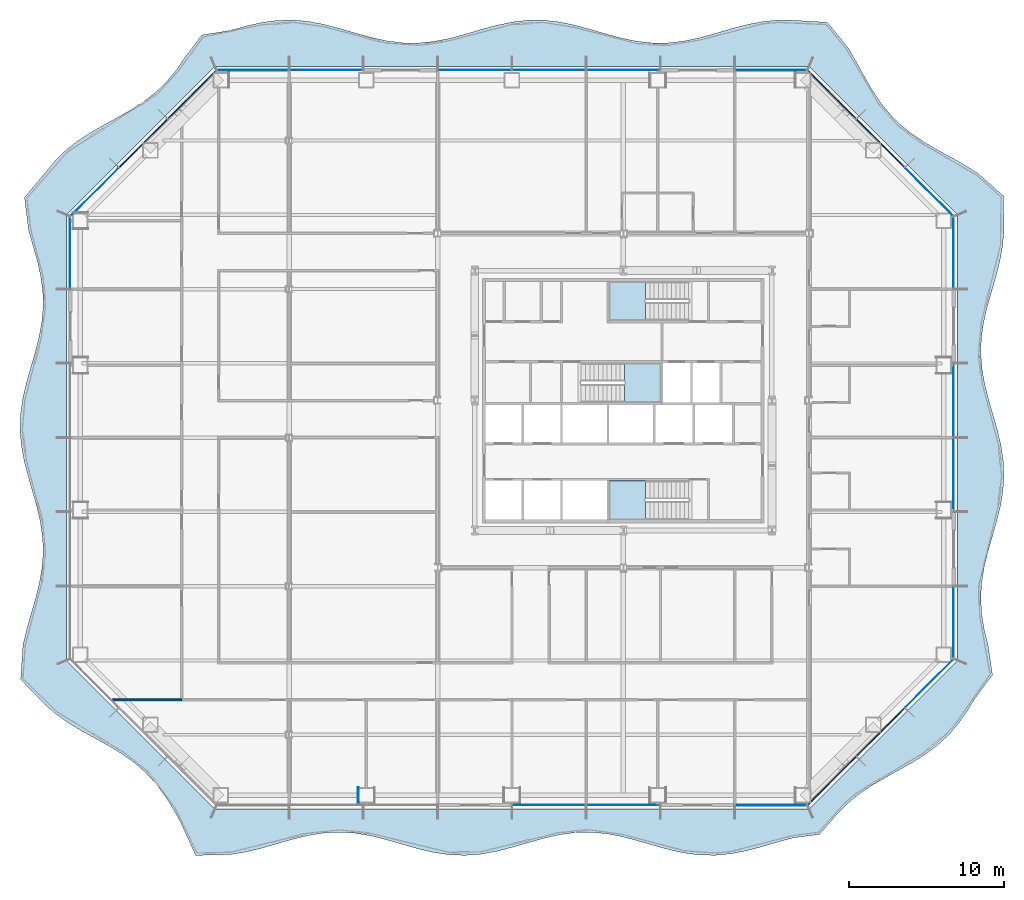
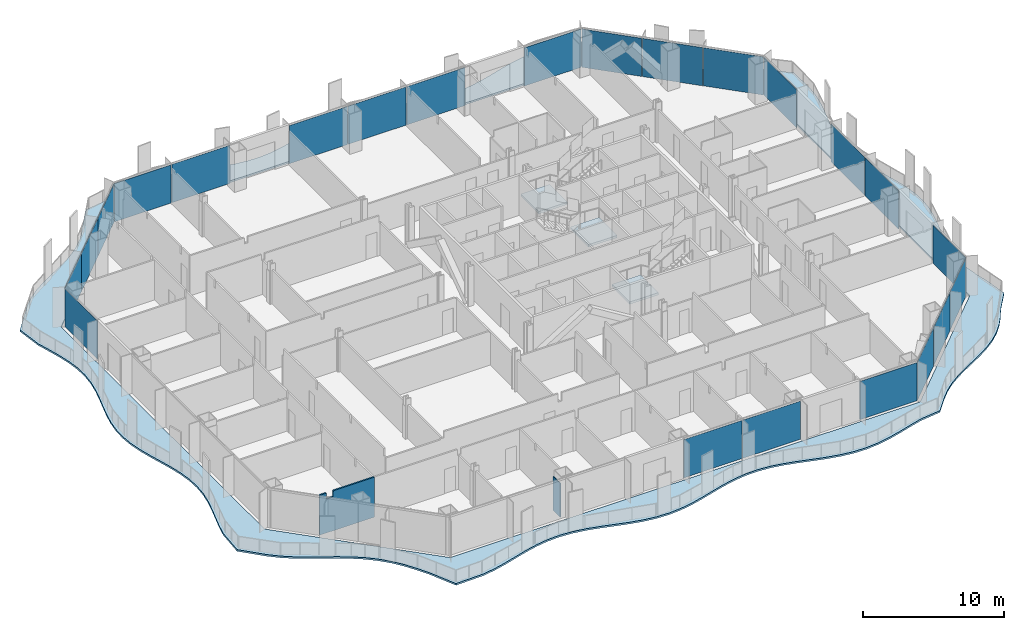
# One storey, part 5 of 20: 23 plates, 4 slabs, 2 walls, 10 elements without a shape of their own.
"""IFC4 building model written with IfcOpenShell, lengths in metres."""

import ifcopenshell
import ifcopenshell.guid

model = None  # the IFC model being written
_history = None  # IfcOwnerHistory: only IFC2X3 demands one
_inside = {}  # id of a spatial element -> (the spatial element, [elements in it])
_under = {}  # id of a project, library or spatial element -> (it, [spatial elements below it])
_declared = {}  # id of a project -> (the project, [libraries it declares])
_typed = {}  # id of a type object -> (the type object, [elements of that type])
_made_of = {}  # id of a material, layer set ... -> (it, [elements and type objects made of it])


def new_model(schema):
    """Start an empty IFC model of exactly this schema.

    Asked for "IFC4X3", IfcOpenShell would pick the latest addendum, in which some entities
    have other attributes; the version numbers below select the first issue.
    IFC2X3 requires an IfcOwnerHistory on every rooted entity: one is made here for all.
    """
    global model, _history
    if schema == "IFC4X3":
        model = ifcopenshell.file(schema_version=(4, 3, 0, 0))
    else:
        model = ifcopenshell.file(schema=schema)
    _inside.clear()
    _under.clear()
    _declared.clear()
    _typed.clear()
    _made_of.clear()
    _history = None
    if model.schema == "IFC2X3":
        org = make("IfcOrganization", Name="unknown")
        user = make(
            "IfcPersonAndOrganization",
            ThePerson=make("IfcPerson", FamilyName="unknown"),
            TheOrganization=org,
        )
        app = make(
            "IfcApplication",
            ApplicationDeveloper=org,
            Version="unknown",
            ApplicationFullName="unknown",
            ApplicationIdentifier="unknown",
        )
        _history = make(
            "IfcOwnerHistory",
            OwningUser=user,
            OwningApplication=app,
            ChangeAction="ADDED",
            CreationDate=0,
        )
    return model


def make(cls, **values):
    """One entity of the class cls with the attributes given. An attribute that is None is left unset."""
    return model.create_entity(
        cls, **{name: value for name, value in values.items() if value is not None}
    )


def rooted(cls, **values):
    """An entity with a GlobalId (a new one), such as an element, a storey or a relation."""
    return make(cls, GlobalId=ifcopenshell.guid.new(), OwnerHistory=_history, **values)


def si_unit(unit_type, name, prefix=None):
    """IfcSIUnit, for example si_unit("LENGTHUNIT", "METRE", prefix="MILLI")."""
    return make("IfcSIUnit", UnitType=unit_type, Prefix=prefix, Name=name)


def assignment(units):
    """IfcUnitAssignment: the units of a project."""
    return None if units is None else make("IfcUnitAssignment", Units=units)


def point(xyz):
    """IfcCartesianPoint."""
    return None if xyz is None else make("IfcCartesianPoint", Coordinates=xyz)


def direction(xyz):
    """IfcDirection."""
    return None if xyz is None else make("IfcDirection", DirectionRatios=xyz)


def frame(location, z_axis=None, x_axis=None):
    """IfcAxis2Placement3D, a coordinate frame: its origin and axes. An axis left out is left unset."""
    return make(
        "IfcAxis2Placement3D",
        Location=point(location),
        Axis=direction(z_axis),
        RefDirection=direction(x_axis),
    )


def frame_2d(location, x_axis=None):
    """IfcAxis2Placement2D, a coordinate frame in the plane: its origin and x axis."""
    return make(
        "IfcAxis2Placement2D", Location=point(location), RefDirection=direction(x_axis)
    )


def origin():
    """The frame at (0, 0, 0) with its axes left unset."""
    return frame((0.0, 0.0, 0.0))


def origin_2d():
    """The frame at (0, 0) in the plane with its x axis left unset."""
    return frame_2d((0.0, 0.0))


def place(relative_to, where):
    """IfcLocalPlacement: puts the frame where relative to a parent placement (None: the world)."""
    return make(
        "IfcLocalPlacement", PlacementRelTo=relative_to, RelativePlacement=where
    )


def context(
    kind, dimensions, precision=None, world=None, true_north=None, identifier=None
):
    """IfcGeometricRepresentationContext, for example the 3D "Model" context."""
    return make(
        "IfcGeometricRepresentationContext",
        ContextIdentifier=identifier,
        ContextType=kind,
        CoordinateSpaceDimension=dimensions,
        Precision=precision,
        WorldCoordinateSystem=world,
        TrueNorth=true_north,
    )


def subcontext(parent, identifier, kind, view, scale=None):
    """IfcGeometricRepresentationSubContext, for example "Body" below "Model"."""
    return make(
        "IfcGeometricRepresentationSubContext",
        ContextIdentifier=identifier,
        ContextType=kind,
        ParentContext=parent,
        TargetScale=scale,
        TargetView=view,
    )


def project(units=None, contexts=None):
    """IfcProject with its units and contexts."""
    return rooted(
        "IfcProject",
        Name="project",
        RepresentationContexts=contexts,
        UnitsInContext=assignment(units),
    )


def spatial(cls, under=None, at=None, **own):
    """A site, building, storey or space (cls), placed at a placement, below another one or the project."""
    s = rooted(cls, ObjectPlacement=at, **own)
    if under is not None:
        _under.setdefault(under.id(), (under, []))[1].append(s)
    return s


def polyline(points):
    """IfcPolyline through the points."""
    return make("IfcPolyline", Points=[point(p) for p in points])


def profile(cls, at=None, kind="AREA", **sizes):
    """A parametric profile (cls). Its sizes go by their IFC names, for example OverallWidth=200.0."""
    return make(cls, ProfileType=kind, Position=at, **sizes)


def rectangle(**sizes):
    """IfcRectangleProfileDef."""
    return profile("IfcRectangleProfileDef", **sizes)


def outline(outer, holes=None, kind="AREA"):
    """IfcArbitraryClosedProfileDef: a profile drawn as a closed curve; with holes, ...WithVoids."""
    if holes is None:
        return make("IfcArbitraryClosedProfileDef", ProfileType=kind, OuterCurve=outer)
    return make(
        "IfcArbitraryProfileDefWithVoids",
        ProfileType=kind,
        OuterCurve=outer,
        InnerCurves=holes,
    )


def extrude(swept, where, along, depth):
    """IfcExtrudedAreaSolid: the profile swept, set in the frame where, extruded along a direction by depth."""
    return make(
        "IfcExtrudedAreaSolid",
        SweptArea=swept,
        Position=where,
        ExtrudedDirection=direction(along),
        Depth=depth,
    )


def shape(context_of_items, identifier, shape_type, items):
    """IfcShapeRepresentation: the items that make up one representation, for example the "Body"."""
    return make(
        "IfcShapeRepresentation",
        ContextOfItems=context_of_items,
        RepresentationIdentifier=identifier,
        RepresentationType=shape_type,
        Items=items,
    )


def material(Name=None, Category=None):
    """IfcMaterial."""
    return make("IfcMaterial", Name=Name, Category=Category)


def layer(
    of_material, thickness, ventilated=None, Name=None, Category=None, Priority=None
):
    """IfcMaterialLayer: one layer of a wall or slab, of a material (None: an air gap)."""
    return make(
        "IfcMaterialLayer",
        Material=of_material,
        LayerThickness=thickness,
        IsVentilated=ventilated,
        Name=Name,
        Category=Category,
        Priority=Priority,
    )


def layer_set(layers, Name=None):
    """IfcMaterialLayerSet."""
    return make("IfcMaterialLayerSet", MaterialLayers=layers, LayerSetName=Name)


def made_of(thing, what):
    """Note that an element or type object is made of a material, layer set ...; save() writes the relation."""
    if what is not None:
        _made_of.setdefault(what.id(), (what, []))[1].append(thing)
    return thing


def type_object(cls, material=None, **own):
    """A type object (cls), such as IfcWallType, which elements share."""
    return made_of(rooted(cls, **own), material)


def element(
    cls,
    number,
    at=None,
    inside=None,
    cuts=None,
    type_object=None,
    material=None,
    context=None,
    identifier="Body",
    shape_type=None,
    held_by="IfcProductDefinitionShape",
    body=None,
    shapes=None,
    **own,
):
    """One element of the class cls, such as IfcWall. Its Tag is "e" and its number.

    at: its placement. inside: the storey or other place that contains it. cuts: it is an
    opening in that element (IfcRelVoidsElement). A single representation is given by context,
    identifier, shape_type and body (its items); several are given by shapes. held_by: the class
    of the entity that holds the representations. save() writes the other relations.
    """
    e = rooted(cls, Tag="e%d" % number, ObjectPlacement=at, **own)
    if body is not None:
        shapes = [shape(context, identifier, shape_type, body)]
    if shapes is not None:
        e.Representation = make(held_by, Representations=shapes)
    if inside is not None:
        _inside.setdefault(inside.id(), (inside, []))[1].append(e)
    if cuts is not None:
        rooted(
            "IfcRelVoidsElement", RelatingBuildingElement=cuts, RelatedOpeningElement=e
        )
    if type_object is not None:
        _typed.setdefault(type_object.id(), (type_object, []))[1].append(e)
    return made_of(e, material)


def aggregate(whole, parts):
    """IfcRelAggregates: a whole, such as a stair, and the parts it consists of."""
    return rooted("IfcRelAggregates", RelatingObject=whole, RelatedObjects=parts)


def save(model, path):
    """Write the relations noted so far, then the file.

    IfcRelAggregates (storeys below a building ...), IfcRelContainedInSpatialStructure (elements
    in a storey), IfcRelDefinesByType, IfcRelAssociatesMaterial and IfcRelDeclares: one each for
    every whole, place, type object, material and project.
    """
    for whole, parts in _under.values():
        aggregate(whole, parts)
    for where, things in _inside.values():
        rooted(
            "IfcRelContainedInSpatialStructure",
            RelatedElements=things,
            RelatingStructure=where,
        )
    for kind, things in _typed.values():
        rooted("IfcRelDefinesByType", RelatedObjects=things, RelatingType=kind)
    for what, things in _made_of.values():
        rooted("IfcRelAssociatesMaterial", RelatedObjects=things, RelatingMaterial=what)
    for by, libraries in _declared.values():
        rooted("IfcRelDeclares", RelatingContext=by, RelatedDefinitions=libraries)
    model.write(path)


model = new_model("IFC4")

# Units and contexts
model_context = context("Model", 3, precision=1e-05, world=origin(), true_north=direction((0.0, 1.0)))
body_context = subcontext(model_context, "Body", "Model", "MODEL_VIEW")
ifc_project = project(units=[si_unit("LENGTHUNIT", "METRE"), si_unit("AREAUNIT", "SQUARE_METRE"), si_unit("VOLUMEUNIT", "CUBIC_METRE"), si_unit("PLANEANGLEUNIT", "RADIAN"), si_unit("MASSUNIT", "GRAM", prefix="KILO")], contexts=[model_context])

# Site, building, storey
site_placement = place(None, origin())
site = spatial("IfcSite", under=ifc_project, at=site_placement, CompositionType="ELEMENT")
building_placement = place(site_placement, origin())
building = spatial("IfcBuilding", under=site, at=building_placement, Name="Cairn Pilgrim Tower", CompositionType="ELEMENT")
storey_placement = place(building_placement, frame((0.0, 0.0, 51.0)))
storey = spatial("IfcBuildingStorey", under=building, at=storey_placement, Name="L10", CompositionType="ELEMENT", Elevation=51.0)

# Slab
ifc_material_1 = material(Name="Concrete C35/45", Category="concrete")
ifc_layer_1 = layer(ifc_material_1, 0.14990234375)
ifc_layer_set_1 = layer_set([ifc_layer_1], Name="BALCONY SLAB 150 CONCRETE C35/45")
slab_type_1 = type_object("IfcSlabType", Name="BALCONY SLAB 150 CONCRETE C35/45", PredefinedType="FLOOR", material=ifc_layer_set_1)
slab_1_placement = place(storey_placement, frame((0.0, 0.0, -0.14990234375)))
element("IfcSlab", 1, at=slab_1_placement, inside=storey, type_object=slab_type_1, Name="Balcony slab BS-1", PredefinedType="FLOOR", context=body_context, shape_type="SweptSolid", body=[
    extrude(outline(polyline([(-21.421875, -24.850341796875), (-20.442626953125, -27.0), (-18.189453125, -26.941650390625), (-17.178955078125, -26.77587890625), (-16.16845703125, -26.5283203125), (-15.157958984375, -26.237548828125), (-14.1474609375, -25.94873046875), (-13.136962890625, -25.706787109375), (-12.126220703125, -25.549072265625), (-11.11572265625, -25.50048828125), (-10.105224609375, -25.568359375), (-9.0947265625, -25.741943359375), (-8.084228515625, -25.994873046875), (-7.07373046875, -26.287109375), (-6.063232421875, -26.57373046875), (-5.052734375, -26.81005859375), (-4.0419921875, -26.95947265625), (-3.031494140625, -26.998291015625), (-2.02099609375, -26.921142578125), (-1.010498046875, -26.739501953125), (0.0, -26.481689453125), (1.010498046875, -26.18798828125), (2.02099609375, -25.904052734375), (3.031494140625, -25.673583984375), (4.0419921875, -25.532958984375), (5.052734375, -25.503662109375), (6.063232421875, -25.59033203125), (7.07373046875, -25.779541015625), (8.084228515625, -26.0419921875), (9.0947265625, -26.336669921875), (10.105224609375, -26.617919921875), (11.11572265625, -26.841796875), (12.126220703125, -26.973876953125), (13.136962890625, -26.993408203125), (14.1474609375, -26.8974609375), (15.157958984375, -26.700927734375), (16.16845703125, -26.43408203125), (17.178955078125, -26.138916015625), (18.189453125, -25.86083984375), (19.880615234375, -25.643310546875), (20.962646484375, -24.39111328125), (21.63671875, -23.69384765625), (22.386474609375, -23.072021484375), (23.2021484375, -22.516357421875), (24.0654296875, -22.00830078125), (24.95068359375, -21.522216796875), (25.82958984375, -21.029541015625), (26.67431640625, -20.502685546875), (27.4619140625, -19.919189453125), (28.177978515625, -19.263671875), (28.818359375, -18.532470703125), (29.38916015625, -17.73193359375), (29.906982421875, -16.87841796875), (31.056884765625, -15.3349609375), (30.771240234375, -13.406982421875), (30.527587890625, -12.413818359375), (30.362060546875, -11.420654296875), (30.300048828125, -10.427490234375), (30.350830078125, -9.4345703125), (30.50634765625, -8.44140625), (30.74365234375, -7.4482421875), (31.02685546875, -6.455078125), (31.3134765625, -5.462158203125), (31.560791015625, -4.468994140625), (31.731201171875, -3.475830078125), (31.79931640625, -2.482666015625), (31.7548828125, -1.48974609375), (31.604736328125, -0.49658203125), (31.37109375, 0.49658203125), (31.08935546875, 1.48974609375), (30.8017578125, 2.482666015625), (30.55126953125, 3.475830078125), (30.375732421875, 4.468994140625), (30.301513671875, 5.462158203125), (30.339599609375, 6.455078125), (30.484375, 7.4482421875), (30.714111328125, 8.44140625), (30.994384765625, 9.4345703125), (31.282958984375, 10.427490234375), (31.536376953125, 11.420654296875), (31.717041015625, 12.413818359375), (31.79736328125, 13.406982421875), (31.765380859375, 15.62841796875), (30.11572265625, 17.087158203125), (29.27587890625, 17.61865234375), (28.399169921875, 18.113525390625), (27.51318359375, 18.598876953125), (26.646484375, 19.103515625), (25.8251953125, 19.653564453125), (25.068359375, 20.268310546875), (24.386474609375, 20.9580078125), (23.779052734375, 21.721923828125), (23.234619140625, 22.549072265625), (22.733154296875, 23.4189453125), (22.248046875, 24.30517578125), (21.750732421875, 25.179443359375), (20.3798828125, 26.848388671875), (18.189453125, 26.976806640625), (17.178955078125, 26.991943359375), (16.16845703125, 26.891845703125), (15.157958984375, 26.692138671875), (14.1474609375, 26.423583984375), (13.136962890625, 26.1279296875), (12.126220703125, 25.8515625), (11.11572265625, 25.636962890625), (10.105224609375, 25.517578125), (9.0947265625, 25.51220703125), (8.084228515625, 25.621337890625), (7.07373046875, 25.828125), (6.063232421875, 26.100830078125), (5.052734375, 26.396484375), (4.0419921875, 26.66943359375), (3.031494140625, 26.876953125), (2.02099609375, 26.9873046875), (1.010498046875, 26.983154296875), (0.0, 26.86474609375), (-1.010498046875, 26.651123046875), (-2.02099609375, 26.375), (-3.031494140625, 26.079345703125), (-4.0419921875, 25.810302734375), (-5.052734375, 25.609619140625), (-6.063232421875, 25.508544921875), (-7.07373046875, 25.522705078125), (-8.084228515625, 25.649658203125), (-9.0947265625, 25.8701171875), (-10.105224609375, 26.149658203125), (-11.11572265625, 26.444580078125), (-12.126220703125, 26.70947265625), (-13.136962890625, 26.90283203125), (-14.1474609375, 26.994873046875), (-15.157958984375, 26.970947265625), (-16.16845703125, 26.8349609375), (-17.178955078125, 26.608154296875), (-18.189453125, 26.32568359375), (-20.04150390625, 26.031494140625), (-21.144775390625, 24.5732421875), (-21.700439453125, 23.757568359375), (-22.322509765625, 23.008056640625), (-23.019775390625, 22.333984375), (-23.790771484375, 21.733642578125), (-24.623046875, 21.194580078125), (-25.495849609375, 20.696044921875), (-26.38232421875, 20.2109375), (-27.253662109375, 19.7109375), (-28.083251953125, 19.1689453125), (-28.8505859375, 18.564697265625), (-29.543701171875, 17.886474609375), (-30.161865234375, 17.13330078125), (-31.507568359375, 15.521484375), (-31.247314453125, 13.406982421875), (-30.957275390625, 12.413818359375), (-30.681396484375, 11.420654296875), (-30.460693359375, 10.427490234375), (-30.32861328125, 9.4345703125), (-30.3046875, 8.44140625), (-30.392822265625, 7.4482421875), (-30.579833984375, 6.455078125), (-30.837158203125, 5.462158203125), (-31.12646484375, 4.468994140625), (-31.404541015625, 3.475830078125), (-31.629150390625, 2.482666015625), (-31.766845703125, 1.48974609375), (-31.796875, 0.49658203125), (-31.71484375, -0.49658203125), (-31.53271484375, -1.48974609375), (-31.2783203125, -2.482666015625), (-30.98974609375, -3.475830078125), (-30.7099609375, -4.468994140625), (-30.4814453125, -5.462158203125), (-30.338134765625, -6.455078125), (-30.3017578125, -7.4482421875), (-30.3779296875, -8.44140625), (-30.554931640625, -9.4345703125), (-30.80615234375, -10.427490234375), (-31.09423828125, -11.420654296875), (-31.37548828125, -12.413818359375), (-31.60791015625, -13.406982421875), (-31.756591796875, -15.624755859375), (-30.235107421875, -17.20654296875), (-29.50390625, -17.8466796875), (-28.703125, -18.41748046875), (-27.849365234375, -18.935302734375), (-26.967041015625, -19.424072265625), (-26.083740234375, -19.912353515625), (-25.228271484375, -20.42822265625), (-24.4248046875, -20.99609375), (-23.690185546875, -21.6328125), (-23.03125, -22.345458984375), (-22.4443359375, -23.130126953125), (-21.91552734375, -23.97265625), (-21.421875, -24.850341796875)]), holes=[polyline([(19.199951171875, -24.0), (-19.199951171875, -24.0), (-28.800048828125, -14.39990234375), (-28.800048828125, 14.39990234375), (-19.199951171875, 24.0), (19.199951171875, 24.0), (28.800048828125, 14.39990234375), (28.800048828125, -14.39990234375), (19.199951171875, -24.0)])]), origin(), (0.0, 0.0, 1.0), 0.14990234375),
])

# Curtain wall, plate
ifc_material_2 = material(Name="Aluminium alloy 6063-T6 bronze anodised with Bronze tinted laminated low-E glass 8+16+8.8", Category="aluminium")
curtain_wall_type_1 = type_object("IfcCurtainWallType", Name="CHAMFER CORNER CURTAIN WALL", PredefinedType="NOTDEFINED", material=ifc_material_2)
curtain_wall_1_placement = place(storey_placement, origin())
curtain_wall_1 = element("IfcCurtainWall", 2, at=curtain_wall_1_placement, inside=storey, type_object=curtain_wall_type_1, Name="Chamfer Corner Curtain Wall SE", PredefinedType="NOTDEFINED")
ifc_material_3 = material(Name="Bronze anodised aluminium spandrel panel with mineral wool insulation", Category="aluminium")
ifc_layer_2 = layer(ifc_material_3, 0.06005859375)
ifc_layer_set_2 = layer_set([ifc_layer_2], Name="SPANDREL PANEL 4386x3300")
plate_type_1 = type_object("IfcPlateType", Name="SPANDREL PANEL 4386x3300", PredefinedType="CURTAIN_PANEL", material=ifc_layer_set_2)
plate_1_placement = place(storey_placement, frame((20.675537109375, -22.1708984375, 0.0), z_axis=(0.0, 0.0, 1.0), x_axis=(0.707106781187, 0.707106781187, 0.0)))
plate_1 = element("IfcPlate", 3, at=plate_1_placement, type_object=plate_type_1, Name="Spandrel Panel SE1-1", PredefinedType="CURTAIN_PANEL", context=body_context, shape_type="SweptSolid", body=[
    extrude(rectangle(XDim=4.386474609375, YDim=0.06005859375, at=origin_2d()), origin(), (0.0, 0.0, 1.0), 3.300048828125),
])

curtain_wall_2_placement = place(storey_placement, origin())
curtain_wall_2 = element("IfcCurtainWall", 4, at=curtain_wall_2_placement, inside=storey, type_object=curtain_wall_type_1, Name="Chamfer Corner Curtain Wall NE", PredefinedType="NOTDEFINED")
plate_2_placement = place(storey_placement, frame((20.675537109375, 22.1708984375, 0.0), z_axis=(0.0, 0.0, 1.0), x_axis=(-0.707106781187, 0.707106781187, 0.0)))
plate_2 = element("IfcPlate", 5, at=plate_2_placement, type_object=plate_type_1, Name="Spandrel Panel NE3-1", PredefinedType="CURTAIN_PANEL", context=body_context, shape_type="SweptSolid", body=[
    extrude(rectangle(XDim=4.386474609375, YDim=0.06005859375, at=origin_2d()), origin(), (0.0, 0.0, 1.0), 3.300048828125),
])

curtain_wall_3_placement = place(storey_placement, origin())
curtain_wall_3 = element("IfcCurtainWall", 6, at=curtain_wall_3_placement, inside=storey, type_object=curtain_wall_type_1, Name="Chamfer Corner Curtain Wall NW", PredefinedType="NOTDEFINED")
plate_3_placement = place(storey_placement, frame((-20.675537109375, 22.1708984375, 0.0), z_axis=(0.0, 0.0, 1.0), x_axis=(-0.707106781187, -0.707106781187, 0.0)))
plate_3 = element("IfcPlate", 7, at=plate_3_placement, type_object=plate_type_1, Name="Spandrel Panel NW1-1", PredefinedType="CURTAIN_PANEL", context=body_context, shape_type="SweptSolid", body=[
    extrude(rectangle(XDim=4.386474609375, YDim=0.06005859375, at=origin_2d()), origin(), (0.0, 0.0, 1.0), 3.300048828125),
])

# Plate
ifc_layer_3 = layer(ifc_material_3, 0.06005859375)
ifc_layer_set_3 = layer_set([ifc_layer_3], Name="SPANDREL PANEL 4396x3300")
plate_type_2 = type_object("IfcPlateType", Name="SPANDREL PANEL 4396x3300", PredefinedType="CURTAIN_PANEL", material=ifc_layer_set_3)
plate_4_placement = place(storey_placement, frame((23.8232421875, -19.023193359375, 0.0), z_axis=(0.0, 0.0, 1.0), x_axis=(0.707106781187, 0.707106781187, 0.0)))
plate_4 = element("IfcPlate", 8, at=plate_4_placement, type_object=plate_type_2, Name="Spandrel Panel SE2-1", PredefinedType="CURTAIN_PANEL", context=body_context, shape_type="SweptSolid", body=[
    extrude(rectangle(XDim=4.396484375, YDim=0.06005859375, at=origin_2d()), origin(), (0.0, 0.0, 1.0), 3.300048828125),
])

plate_5_placement = place(storey_placement, frame((23.8232421875, 19.023193359375, 0.0), z_axis=(0.0, 0.0, 1.0), x_axis=(-0.707106781187, 0.707106781187, 0.0)))
plate_5 = element("IfcPlate", 9, at=plate_5_placement, type_object=plate_type_2, Name="Spandrel Panel NE2-1", PredefinedType="CURTAIN_PANEL", context=body_context, shape_type="SweptSolid", body=[
    extrude(rectangle(XDim=4.396484375, YDim=0.06005859375, at=origin_2d()), origin(), (0.0, 0.0, 1.0), 3.300048828125),
])

plate_6_placement = place(storey_placement, frame((-23.8232421875, 19.023193359375, 0.0), z_axis=(0.0, 0.0, 1.0), x_axis=(-0.707106781187, -0.707106781187, 0.0)))
plate_6 = element("IfcPlate", 10, at=plate_6_placement, type_object=plate_type_2, Name="Spandrel Panel NW2-1", PredefinedType="CURTAIN_PANEL", context=body_context, shape_type="SweptSolid", body=[
    extrude(rectangle(XDim=4.396484375, YDim=0.06005859375, at=origin_2d()), origin(), (0.0, 0.0, 1.0), 3.300048828125),
])

# Curtain wall, plate
curtain_wall_type_2 = type_object("IfcCurtainWallType", Name="TOWER STICK CURTAIN WALL NS", PredefinedType="NOTDEFINED", material=ifc_material_2)
curtain_wall_4_placement = place(storey_placement, origin())
curtain_wall_4 = element("IfcCurtainWall", 11, at=curtain_wall_4_placement, inside=storey, type_object=curtain_wall_type_2, Name="Tower Stick Curtain Wall Ns S", PredefinedType="NOTDEFINED")
ifc_layer_4 = layer(ifc_material_3, 0.06005859375)
ifc_layer_set_4 = layer_set([ifc_layer_4], Name="SPANDREL PANEL 4626x3300")
plate_type_3 = type_object("IfcPlateType", Name="SPANDREL PANEL 4626x3300", PredefinedType="CURTAIN_PANEL", material=ifc_layer_set_4)
plate_7_placement = place(storey_placement, frame((16.7431640625, -23.75, 0.0), z_axis=(0.0, 0.0, 1.0), x_axis=(1.0, 0.0, 0.0)))
plate_7 = element("IfcPlate", 12, at=plate_7_placement, type_object=plate_type_3, Name="Spandrel Panel S8-1", PredefinedType="CURTAIN_PANEL", context=body_context, shape_type="SweptSolid", body=[
    extrude(rectangle(XDim=4.62646484375, YDim=0.06005859375, at=origin_2d()), origin(), (0.0, 0.0, 1.0), 3.300048828125),
])

# Curtain wall, plates
curtain_wall_5_placement = place(storey_placement, origin())
curtain_wall_5 = element("IfcCurtainWall", 13, at=curtain_wall_5_placement, inside=storey, type_object=curtain_wall_type_2, Name="Tower Stick Curtain Wall Ns N", PredefinedType="NOTDEFINED")
plate_8_placement = place(storey_placement, frame((16.7431640625, 23.75, 0.0), z_axis=(0.0, 0.0, 1.0), x_axis=(-1.0, 0.0, 0.0)))
plate_8 = element("IfcPlate", 14, at=plate_8_placement, type_object=plate_type_3, Name="Spandrel Panel N1-1", PredefinedType="CURTAIN_PANEL", context=body_context, shape_type="SweptSolid", body=[
    extrude(rectangle(XDim=4.62646484375, YDim=0.06005859375, at=origin_2d()), origin(), (0.0, 0.0, 1.0), 3.300048828125),
])
plate_9_placement = place(storey_placement, frame((-16.7431640625, 23.75, 0.0), z_axis=(0.0, 0.0, 1.0), x_axis=(-1.0, 0.0, 0.0)))
plate_9 = element("IfcPlate", 15, at=plate_9_placement, type_object=plate_type_3, Name="Spandrel Panel N8-1", PredefinedType="CURTAIN_PANEL", context=body_context, shape_type="SweptSolid", body=[
    extrude(rectangle(XDim=4.62646484375, YDim=0.06005859375, at=origin_2d()), origin(), (0.0, 0.0, 1.0), 3.300048828125),
])

# Stair, slab
ifc_material_4 = material(Name="Concrete C32/40", Category="concrete")
stair_type = type_object("IfcStairType", Name="EXIT STAIR 1200", PredefinedType="HALF_TURN_STAIR", material=ifc_material_4)
stair_1_placement = place(storey_placement, origin())
stair_1 = element("IfcStair", 16, at=stair_1_placement, inside=storey, type_object=stair_type, Name="L10 Exit Stair A", PredefinedType="HALF_TURN_STAIR")
ifc_layer_5 = layer(ifc_material_4, 0.199951171875)
ifc_layer_set_5 = layer_set([ifc_layer_5], Name="STAIR LANDING 200")
slab_type_2 = type_object("IfcSlabType", Name="STAIR LANDING 200", PredefinedType="LANDING", material=ifc_layer_set_5)
slab_2_placement = place(storey_placement, frame((0.0, 0.0, 1.60009765625)))
slab_2 = element("IfcSlab", 17, at=slab_2_placement, type_object=slab_type_2, Name="ST-A landing 1", PredefinedType="LANDING", context=body_context, shape_type="SweptSolid", body=[
    extrude(outline(polyline([(8.625, -2.77490234375), (6.27490234375, -2.77490234375), (6.27490234375, -5.300048828125), (8.625, -5.300048828125), (8.625, -2.77490234375)])), origin(), (0.0, 0.0, 1.0), 0.199951171875),
])
aggregate(stair_1, [slab_2])

stair_2_placement = place(storey_placement, origin())
stair_2 = element("IfcStair", 18, at=stair_2_placement, inside=storey, type_object=stair_type, Name="L10 Exit Stair B", PredefinedType="HALF_TURN_STAIR")
slab_3_placement = place(storey_placement, frame((0.0, 0.0, 1.60009765625)))
slab_3 = element("IfcSlab", 19, at=slab_3_placement, type_object=slab_type_2, Name="ST-B landing 1", PredefinedType="LANDING", context=body_context, shape_type="SweptSolid", body=[
    extrude(outline(polyline([(7.27490234375, 2.27490234375), (9.625, 2.27490234375), (9.625, 4.824951171875), (7.27490234375, 4.824951171875), (7.27490234375, 2.27490234375)])), origin(), (0.0, 0.0, 1.0), 0.199951171875),
])
aggregate(stair_2, [slab_3])

stair_3_placement = place(storey_placement, origin())
stair_3 = element("IfcStair", 20, at=stair_3_placement, inside=storey, type_object=stair_type, Name="L10 Exit Stair C", PredefinedType="HALF_TURN_STAIR")
slab_4_placement = place(storey_placement, frame((0.0, 0.0, 1.60009765625)))
slab_4 = element("IfcSlab", 21, at=slab_4_placement, type_object=slab_type_2, Name="ST-C landing 1", PredefinedType="LANDING", context=body_context, shape_type="SweptSolid", body=[
    extrude(outline(polyline([(8.625, 10.10009765625), (6.27490234375, 10.10009765625), (6.27490234375, 7.574951171875), (8.625, 7.574951171875), (8.625, 10.10009765625)])), origin(), (0.0, 0.0, 1.0), 0.199951171875),
])
aggregate(stair_3, [slab_4])

# Plate
ifc_material_5 = material(Name="Bronze tinted laminated low-E glass 8+16+8.8", Category="glass")
ifc_layer_6 = layer(ifc_material_5, 0.033935546875)
ifc_layer_set_6 = layer_set([ifc_layer_6], Name="VISION GLAZING 4386x3300")
plate_type_4 = type_object("IfcPlateType", Name="VISION GLAZING 4386x3300", PredefinedType="CURTAIN_PANEL", material=ifc_layer_set_6)
plate_10_placement = place(storey_placement, frame((26.970947265625, -15.87548828125, 0.0), z_axis=(0.0, 0.0, 1.0), x_axis=(0.707106781187, 0.707106781187, 0.0)))
plate_10 = element("IfcPlate", 22, at=plate_10_placement, type_object=plate_type_4, Name="Vision Glazing SE3-1", PredefinedType="CURTAIN_PANEL", context=body_context, shape_type="SweptSolid", body=[
    extrude(rectangle(XDim=4.386474609375, YDim=0.033935546875, at=origin_2d()), origin(), (0.0, 0.0, 1.0), 3.300048828125),
])

aggregate(curtain_wall_1, [plate_1, plate_4, plate_10])

plate_11_placement = place(storey_placement, frame((26.970947265625, 15.87548828125, 0.0), z_axis=(0.0, 0.0, 1.0), x_axis=(-0.707106781187, 0.707106781187, 0.0)))
plate_11 = element("IfcPlate", 23, at=plate_11_placement, type_object=plate_type_4, Name="Vision Glazing NE1-1", PredefinedType="CURTAIN_PANEL", context=body_context, shape_type="SweptSolid", body=[
    extrude(rectangle(XDim=4.386474609375, YDim=0.033935546875, at=origin_2d()), origin(), (0.0, 0.0, 1.0), 3.300048828125),
])

aggregate(curtain_wall_2, [plate_11, plate_5, plate_2])

plate_12_placement = place(storey_placement, frame((-26.970947265625, 15.87548828125, 0.0), z_axis=(0.0, 0.0, 1.0), x_axis=(-0.707106781187, -0.707106781187, 0.0)))
plate_12 = element("IfcPlate", 24, at=plate_12_placement, type_object=plate_type_4, Name="Vision Glazing NW3-1", PredefinedType="CURTAIN_PANEL", context=body_context, shape_type="SweptSolid", body=[
    extrude(rectangle(XDim=4.386474609375, YDim=0.033935546875, at=origin_2d()), origin(), (0.0, 0.0, 1.0), 3.300048828125),
])

aggregate(curtain_wall_3, [plate_3, plate_6, plate_12])

# Curtain wall, plates
curtain_wall_type_3 = type_object("IfcCurtainWallType", Name="TOWER STICK CURTAIN WALL EW", PredefinedType="NOTDEFINED", material=ifc_material_2)
curtain_wall_6_placement = place(storey_placement, origin())
curtain_wall_6 = element("IfcCurtainWall", 25, at=curtain_wall_6_placement, inside=storey, type_object=curtain_wall_type_3, Name="Tower Stick Curtain Wall Ew E", PredefinedType="NOTDEFINED")
ifc_layer_7 = layer(ifc_material_5, 0.033935546875)
ifc_layer_set_7 = layer_set([ifc_layer_7], Name="VISION GLAZING 4626x3300")
plate_type_5 = type_object("IfcPlateType", Name="VISION GLAZING 4626x3300", PredefinedType="CURTAIN_PANEL", material=ifc_layer_set_7)
plate_13_placement = place(storey_placement, frame((28.550048828125, -11.943115234375, 0.0), z_axis=(0.0, 0.0, 1.0), x_axis=(0.0, 1.0, 0.0)))
plate_13 = element("IfcPlate", 26, at=plate_13_placement, type_object=plate_type_5, Name="Vision Glazing E1-1", PredefinedType="CURTAIN_PANEL", context=body_context, shape_type="SweptSolid", body=[
    extrude(rectangle(XDim=4.62646484375, YDim=0.033935546875, at=origin_2d()), origin(), (0.0, 0.0, 1.0), 3.300048828125),
])
plate_14_placement = place(storey_placement, frame((28.550048828125, 11.943115234375, 0.0), z_axis=(0.0, 0.0, 1.0), x_axis=(0.0, 1.0, 0.0)))
plate_14 = element("IfcPlate", 27, at=plate_14_placement, type_object=plate_type_5, Name="Vision Glazing E6-1", PredefinedType="CURTAIN_PANEL", context=body_context, shape_type="SweptSolid", body=[
    extrude(rectangle(XDim=4.62646484375, YDim=0.033935546875, at=origin_2d()), origin(), (0.0, 0.0, 1.0), 3.300048828125),
])

# Curtain wall, plate
curtain_wall_7_placement = place(storey_placement, origin())
curtain_wall_7 = element("IfcCurtainWall", 28, at=curtain_wall_7_placement, inside=storey, type_object=curtain_wall_type_3, Name="Tower Stick Curtain Wall Ew W", PredefinedType="NOTDEFINED")
plate_15_placement = place(storey_placement, frame((-28.550048828125, 11.943115234375, 0.0), z_axis=(0.0, 0.0, 1.0), x_axis=(0.0, -1.0, 0.0)))
plate_15 = element("IfcPlate", 29, at=plate_15_placement, type_object=plate_type_5, Name="Vision Glazing W1-1", PredefinedType="CURTAIN_PANEL", context=body_context, shape_type="SweptSolid", body=[
    extrude(rectangle(XDim=4.62646484375, YDim=0.033935546875, at=origin_2d()), origin(), (0.0, 0.0, 1.0), 3.300048828125),
])
aggregate(curtain_wall_7, [plate_15])

# Plate
ifc_layer_8 = layer(ifc_material_5, 0.033935546875)
ifc_layer_set_8 = layer_set([ifc_layer_8], Name="VISION GLAZING 4740x3300")
plate_type_6 = type_object("IfcPlateType", Name="VISION GLAZING 4740x3300", PredefinedType="CURTAIN_PANEL", material=ifc_layer_set_8)
plate_16_placement = place(storey_placement, frame((2.39990234375, -23.75, 0.0), z_axis=(0.0, 0.0, 1.0), x_axis=(1.0, 0.0, 0.0)))
plate_16 = element("IfcPlate", 30, at=plate_16_placement, type_object=plate_type_6, Name="Vision Glazing S5-1", PredefinedType="CURTAIN_PANEL", context=body_context, shape_type="SweptSolid", body=[
    extrude(rectangle(XDim=4.739990234375, YDim=0.033935546875, at=origin_2d()), origin(), (0.0, 0.0, 1.0), 3.300048828125),
])

plate_17_placement = place(storey_placement, frame((7.199951171875, -23.75, 0.0), z_axis=(0.0, 0.0, 1.0), x_axis=(1.0, 0.0, 0.0)))
plate_17 = element("IfcPlate", 31, at=plate_17_placement, type_object=plate_type_6, Name="Vision Glazing S6-1", PredefinedType="CURTAIN_PANEL", context=body_context, shape_type="SweptSolid", body=[
    extrude(rectangle(XDim=4.739990234375, YDim=0.033935546875, at=origin_2d()), origin(), (0.0, 0.0, 1.0), 3.300048828125),
])

aggregate(curtain_wall_4, [plate_16, plate_17, plate_7])

plate_18_placement = place(storey_placement, frame((28.550048828125, -2.39990234375, 0.0), z_axis=(0.0, 0.0, 1.0), x_axis=(0.0, 1.0, 0.0)))
plate_18 = element("IfcPlate", 32, at=plate_18_placement, type_object=plate_type_6, Name="Vision Glazing E3-1", PredefinedType="CURTAIN_PANEL", context=body_context, shape_type="SweptSolid", body=[
    extrude(rectangle(XDim=4.739990234375, YDim=0.033935546875, at=origin_2d()), origin(), (0.0, 0.0, 1.0), 3.300048828125),
])

plate_19_placement = place(storey_placement, frame((28.550048828125, 2.39990234375, 0.0), z_axis=(0.0, 0.0, 1.0), x_axis=(0.0, 1.0, 0.0)))
plate_19 = element("IfcPlate", 33, at=plate_19_placement, type_object=plate_type_6, Name="Vision Glazing E4-1", PredefinedType="CURTAIN_PANEL", context=body_context, shape_type="SweptSolid", body=[
    extrude(rectangle(XDim=4.739990234375, YDim=0.033935546875, at=origin_2d()), origin(), (0.0, 0.0, 1.0), 3.300048828125),
])

aggregate(curtain_wall_6, [plate_13, plate_18, plate_19, plate_14])

plate_20_placement = place(storey_placement, frame((7.199951171875, 23.75, 0.0), z_axis=(0.0, 0.0, 1.0), x_axis=(-1.0, 0.0, 0.0)))
plate_20 = element("IfcPlate", 34, at=plate_20_placement, type_object=plate_type_6, Name="Vision Glazing N3-1", PredefinedType="CURTAIN_PANEL", context=body_context, shape_type="SweptSolid", body=[
    extrude(rectangle(XDim=4.739990234375, YDim=0.033935546875, at=origin_2d()), origin(), (0.0, 0.0, 1.0), 3.300048828125),
])

plate_21_placement = place(storey_placement, frame((2.39990234375, 23.75, 0.0), z_axis=(0.0, 0.0, 1.0), x_axis=(-1.0, 0.0, 0.0)))
plate_21 = element("IfcPlate", 35, at=plate_21_placement, type_object=plate_type_6, Name="Vision Glazing N4-1", PredefinedType="CURTAIN_PANEL", context=body_context, shape_type="SweptSolid", body=[
    extrude(rectangle(XDim=4.739990234375, YDim=0.033935546875, at=origin_2d()), origin(), (0.0, 0.0, 1.0), 3.300048828125),
])

plate_22_placement = place(storey_placement, frame((-2.39990234375, 23.75, 0.0), z_axis=(0.0, 0.0, 1.0), x_axis=(-1.0, 0.0, 0.0)))
plate_22 = element("IfcPlate", 36, at=plate_22_placement, type_object=plate_type_6, Name="Vision Glazing N5-1", PredefinedType="CURTAIN_PANEL", context=body_context, shape_type="SweptSolid", body=[
    extrude(rectangle(XDim=4.739990234375, YDim=0.033935546875, at=origin_2d()), origin(), (0.0, 0.0, 1.0), 3.300048828125),
])

plate_23_placement = place(storey_placement, frame((-12.0, 23.75, 0.0), z_axis=(0.0, 0.0, 1.0), x_axis=(-1.0, 0.0, 0.0)))
plate_23 = element("IfcPlate", 37, at=plate_23_placement, type_object=plate_type_6, Name="Vision Glazing N7-1", PredefinedType="CURTAIN_PANEL", context=body_context, shape_type="SweptSolid", body=[
    extrude(rectangle(XDim=4.739990234375, YDim=0.033935546875, at=origin_2d()), origin(), (0.0, 0.0, 1.0), 3.300048828125),
])

aggregate(curtain_wall_5, [plate_8, plate_20, plate_21, plate_22, plate_23, plate_9])

# Walls
ifc_material_6 = material(Name="Gypsum partition")
ifc_layer_9 = layer(ifc_material_6, 0.125)
ifc_layer_set_9 = layer_set([ifc_layer_9], Name="PARTITION 125 DRYWALL EI 60")
wall_type_1 = type_object("IfcWallType", Name="PARTITION 125 DRYWALL EI 60", PredefinedType="PARTITIONING", material=ifc_layer_set_9)
wall_1_placement = place(storey_placement, frame((-25.806884765625, -16.949951171875, 0.0), z_axis=(0.0, 0.0, 1.0), x_axis=(1.0, 0.0, 0.0)))
element("IfcWall", 38, at=wall_1_placement, inside=storey, type_object=wall_type_1, Name="PARTITION W012", PredefinedType="PARTITIONING", context=body_context, shape_type="SweptSolid", body=[
    extrude(outline(polyline([(0.0, 0.0), (4.456787109375, 0.0), (4.45703125, 3.449951171875), (1.1044921875, 3.449951171875), (1.102294921875, 2.929931640625), (0.55517578125, 2.929931640625), (0.552978515625, 3.449951171875), (0.0, 3.449951171875), (0.0, 0.0)])), frame((0.0, 0.0625, 0.0), z_axis=(0.0, -1.0, 0.0), x_axis=(1.0, 0.0, 0.0)), (0.0, 0.0, 1.0), 0.125),
])
ifc_layer_10 = layer(ifc_material_6, 0.050048828125)
ifc_layer_set_10 = layer_set([ifc_layer_10], Name="PARTITION 50 DRYWALL EI 60")
wall_type_2 = type_object("IfcWallType", Name="PARTITION 50 DRYWALL EI 60", PredefinedType="PARTITIONING", material=ifc_layer_set_10)
wall_2_placement = place(storey_placement, frame((-9.938720703125, -23.60009765625, 0.0), z_axis=(0.0, 0.0, 1.0), x_axis=(0.0, 1.0, 0.0)))
element("IfcWall", 39, at=wall_2_placement, inside=storey, type_object=wall_type_2, Name="COLUMN CASING WC02", PredefinedType="PARTITIONING", context=body_context, shape_type="SweptSolid", body=[
    extrude(rectangle(XDim=1.0, YDim=0.050048828125, at=frame_2d((0.5, 0.0))), origin(), (0.0, 0.0, 1.0), 2.929931640625),
])

save(model, "model.ifc")
